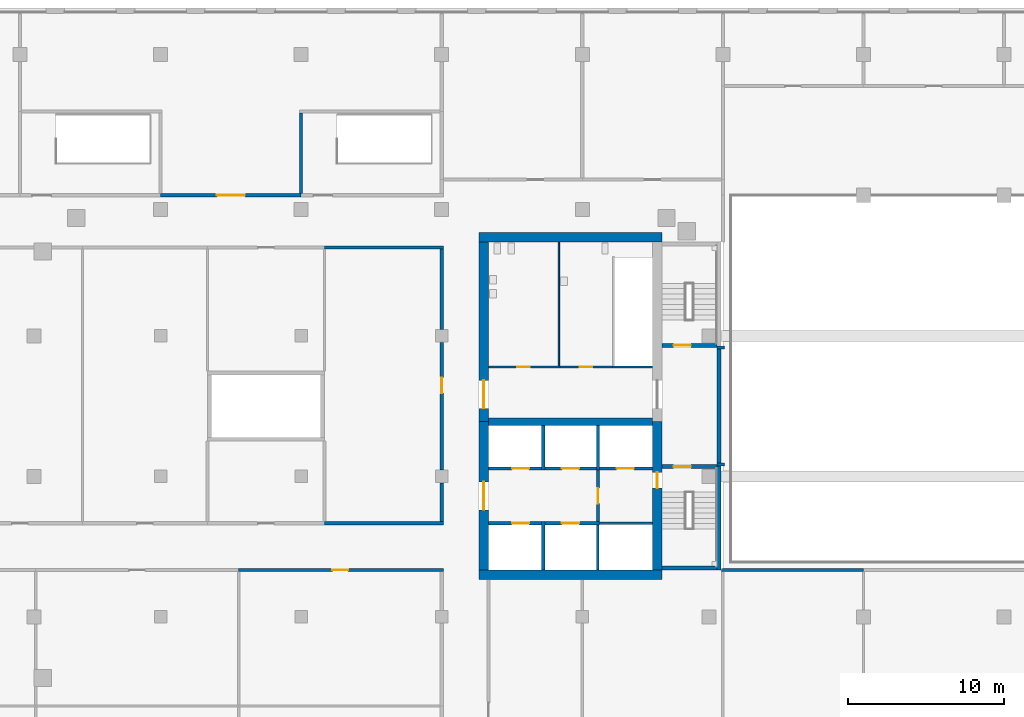
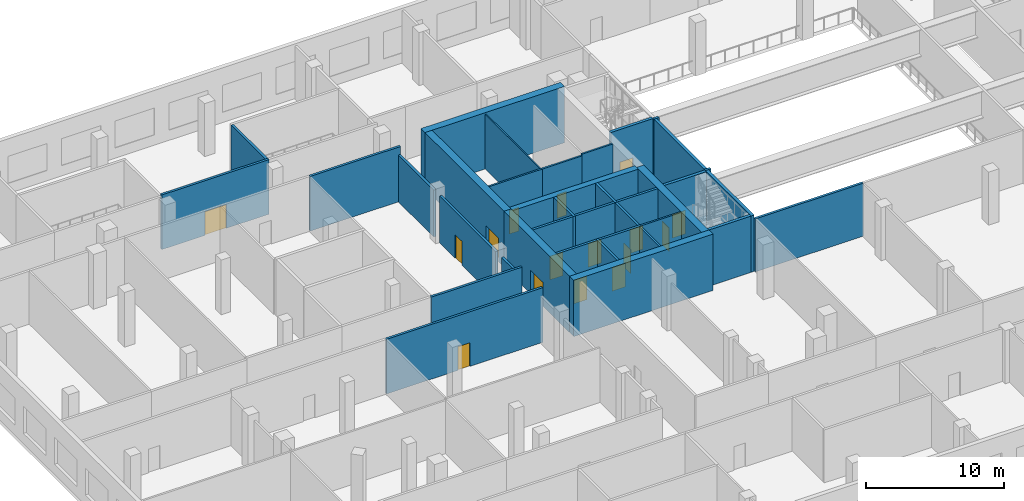
# One storey, part 6 of 20: 37 walls, 16 doors, 16 openings.
"""IFC4 building model written with IfcOpenShell, lengths in metres."""

from ifc_helpers import new_model, si_unit, direction, frame, frame_2d, origin, place, context, subcontext, project, spatial, rectangle, extrude, material, layer, layer_set, type_object, element, fill, save


model = new_model("IFC4")

# Units and contexts
model_context = context("Model", 3, precision=1e-05, world=origin(), true_north=direction((0.0, 1.0)))
body_context = subcontext(model_context, "Body", "Model", "MODEL_VIEW")
ifc_project = project(units=[si_unit("LENGTHUNIT", "METRE"), si_unit("AREAUNIT", "SQUARE_METRE"), si_unit("VOLUMEUNIT", "CUBIC_METRE"), si_unit("PLANEANGLEUNIT", "RADIAN"), si_unit("MASSUNIT", "GRAM", prefix="KILO")], contexts=[model_context])

# Site, building, storey
site_placement = place(None, origin())
site = spatial("IfcSite", under=ifc_project, at=site_placement, CompositionType="ELEMENT")
building_placement = place(site_placement, origin())
building = spatial("IfcBuilding", under=site, at=building_placement, Name="Cinnabar Reach Civic Tower", CompositionType="ELEMENT")
storey_placement = place(building_placement, frame((0.0, 0.0, 21.0)))
storey = spatial("IfcBuildingStorey", under=building, at=storey_placement, Name="L04", CompositionType="ELEMENT", Elevation=21.0)

# Walls
ifc_material_1 = material(Name="Concrete C60", Category="concrete")
ifc_layer_1 = layer(ifc_material_1, 0.5)
ifc_layer_set_1 = layer_set([ifc_layer_1], Name="Core wall 500 EI 180")
wall_type_1 = type_object("IfcWallType", Name="Core wall 500 EI 180", PredefinedType="SOLIDWALL", material=ifc_layer_set_1)
wall_1_placement = place(storey_placement, frame((-42.0, 30.5, 0.0), z_axis=(0.0, 0.0, 1.0), x_axis=(1.0, 0.0, 0.0)))
element("IfcWall", 1, at=wall_1_placement, inside=storey, type_object=wall_type_1, Name="Core spine wall T2 L04", PredefinedType="SOLIDWALL", context=body_context, shape_type="SweptSolid", body=[
    extrude(rectangle(XDim=10.5, YDim=0.5, at=frame_2d((5.25, 0.0))), origin(), (0.0, 0.0, 1.0), 5.0),
])
ifc_material_2 = material(Name="Concrete C70", Category="concrete")
ifc_layer_2 = layer(ifc_material_2, 0.6)
ifc_layer_set_2 = layer_set([ifc_layer_2], Name="Core wall 600 EI 180")
wall_type_2 = type_object("IfcWallType", Name="Core wall 600 EI 180", PredefinedType="SOLIDWALL", material=ifc_layer_set_2)
for number, where, z_axis, x_axis, name in (
    (2, (-42.6, 20.7, 0.0), (0.0, 0.0, 1.0), (1.0, 0.0, 0.0), "Core wall T2 L04 S"),
    (3, (-30.9, 42.3, 0.0), (0.0, 0.0, 1.0), (-1.0, 0.0, 0.0), "Core wall T2 L04 N"),
):
    element("IfcWall", number, at=place(storey_placement, frame(where, z_axis=z_axis, x_axis=x_axis)), inside=storey, type_object=wall_type_2, Name=name, PredefinedType="SOLIDWALL", context=body_context, shape_type="SweptSolid", body=[
        extrude(rectangle(XDim=11.7, YDim=0.6, at=frame_2d((5.85, 0.0))), origin(), (0.0, 0.0, 1.0), 5.0),
    ])

# Wall, opening, door
wall_2_placement = place(storey_placement, frame((-31.2, 21.0, 0.0), z_axis=(0.0, 0.0, 1.0), x_axis=(0.0, 1.0, 0.0)))
wall_2 = element("IfcWall", 4, at=wall_2_placement, inside=storey, type_object=wall_type_2, Name="Core wall T2 L04 E", PredefinedType="SOLIDWALL", context=body_context, shape_type="SweptSolid", body=[
    extrude(rectangle(XDim=9.5, YDim=0.6, at=frame_2d((4.75, 0.0))), origin(), (0.0, 0.0, 1.0), 5.0),
])
opening_1_placement = place(wall_2_placement, frame((5.25, 0.0, 0.0)))
opening_1 = element("IfcOpeningElement", 5, at=opening_1_placement, cuts=wall_2, Name="Opening D6083", PredefinedType="OPENING", context=body_context, shape_type="SweptSolid", body=[
    extrude(rectangle(XDim=1.0, YDim=2.1, at=frame_2d((0.5, 1.05))), frame((0.0, 0.31, 0.0), z_axis=(0.0, -1.0, 0.0), x_axis=(1.0, 0.0, 0.0)), (0.0, 0.0, 1.0), 0.62),
])
ifc_material_3 = material(Name="Steel fire door", Category="steel")
door_type_1 = type_object("IfcDoorType", Name="T2 Firefighting lobby door 1000", OperationType="SINGLE_SWING_LEFT", PredefinedType="DOOR", material=ifc_material_3)
door_1_placement = place(opening_1_placement, frame((1.0, 0.0, 0.0), z_axis=(0.0, 0.0, 1.0), x_axis=(-1.0, 0.0, 0.0)))
door_1 = element("IfcDoor", 6, at=door_1_placement, inside=storey, type_object=door_type_1, Name="T2 Firefighting lobby door D6083", OperationType="SINGLE_SWING_LEFT", OverallHeight=2.1, OverallWidth=1.0, PredefinedType="DOOR", context=body_context, shape_type="SweptSolid", body=[
    extrude(rectangle(XDim=1.0, YDim=2.1, at=frame_2d((0.5, 1.05))), frame((0.0, 0.025, 0.0), z_axis=(0.0, -1.0, 0.0), x_axis=(1.0, 0.0, 0.0)), (0.0, 0.0, 1.0), 0.05),
])
fill(opening_1, door_1)

wall_3_placement = place(storey_placement, frame((-42.3, 42.0, 0.0), z_axis=(0.0, 0.0, 1.0), x_axis=(0.0, -1.0, 0.0)))
wall_3 = element("IfcWall", 7, at=wall_3_placement, inside=storey, type_object=wall_type_2, Name="Core wall T2 L04 W", PredefinedType="SOLIDWALL", context=body_context, shape_type="SweptSolid", body=[
    extrude(rectangle(XDim=11.5, YDim=0.6, at=frame_2d((5.75, 0.0))), origin(), (0.0, 0.0, 1.0), 5.0),
])
opening_2_placement = place(wall_3_placement, frame((8.85, 0.0, 0.0)))
opening_2 = element("IfcOpeningElement", 8, at=opening_2_placement, cuts=wall_3, Name="Opening D6088", PredefinedType="OPENING", context=body_context, shape_type="SweptSolid", body=[
    extrude(rectangle(XDim=1.8, YDim=2.1, at=frame_2d((0.9, 1.05))), frame((0.0, 0.31, 0.0), z_axis=(0.0, -1.0, 0.0), x_axis=(1.0, 0.0, 0.0)), (0.0, 0.0, 1.0), 0.62),
])
door_type_2 = type_object("IfcDoorType", Name="T2 Double door 1800", OperationType="DOUBLE_DOOR_SINGLE_SWING", PredefinedType="DOOR", material=ifc_material_3)
door_2_placement = place(opening_2_placement, frame((1.8, 0.0, 0.0), z_axis=(0.0, 0.0, 1.0), x_axis=(-1.0, 0.0, 0.0)))
door_2 = element("IfcDoor", 9, at=door_2_placement, inside=storey, type_object=door_type_2, Name="T2 Double door D6088", OperationType="DOUBLE_DOOR_SINGLE_SWING", OverallHeight=2.1, OverallWidth=1.8, PredefinedType="DOOR", context=body_context, shape_type="SweptSolid", body=[
    extrude(rectangle(XDim=1.8, YDim=2.1, at=frame_2d((0.9, 1.05))), frame((0.0, 0.025, 0.0), z_axis=(0.0, -1.0, 0.0), x_axis=(1.0, 0.0, 0.0)), (0.0, 0.0, 1.0), 0.05),
])
fill(opening_2, door_2)

wall_4_placement = place(storey_placement, frame((-42.3, 30.5, 0.0), z_axis=(0.0, 0.0, 1.0), x_axis=(0.0, -1.0, 0.0)))
wall_4 = element("IfcWall", 10, at=wall_4_placement, inside=storey, type_object=wall_type_2, Name="Core wall T2 L04 W2", PredefinedType="SOLIDWALL", context=body_context, shape_type="SweptSolid", body=[
    extrude(rectangle(XDim=9.5, YDim=0.6, at=frame_2d((4.75, 0.0))), origin(), (0.0, 0.0, 1.0), 5.0),
])
opening_3_placement = place(wall_4_placement, frame((3.85, 0.0, 0.0)))
opening_3 = element("IfcOpeningElement", 11, at=opening_3_placement, cuts=wall_4, Name="Opening D6087", PredefinedType="OPENING", context=body_context, shape_type="SweptSolid", body=[
    extrude(rectangle(XDim=1.8, YDim=2.1, at=frame_2d((0.9, 1.05))), frame((0.0, 0.31, 0.0), z_axis=(0.0, -1.0, 0.0), x_axis=(1.0, 0.0, 0.0)), (0.0, 0.0, 1.0), 0.62),
])
door_3_placement = place(opening_3_placement, origin())
door_3 = element("IfcDoor", 12, at=door_3_placement, inside=storey, type_object=door_type_2, Name="T2 Double door D6087", OperationType="DOUBLE_DOOR_SINGLE_SWING", OverallHeight=2.1, OverallWidth=1.8, PredefinedType="DOOR", context=body_context, shape_type="SweptSolid", body=[
    extrude(rectangle(XDim=1.8, YDim=2.1, at=frame_2d((0.9, 1.05))), frame((0.0, 0.025, 0.0), z_axis=(0.0, -1.0, 0.0), x_axis=(1.0, 0.0, 0.0)), (0.0, 0.0, 1.0), 0.05),
])
fill(opening_3, door_3)

# Wall
ifc_material_4 = material(Name="Concrete blockwork", Category="masonry")
ifc_layer_3 = layer(ifc_material_4, 0.2)
ifc_layer_set_3 = layer_set([ifc_layer_3], Name="Podium masonry corridor wall 200 EI 120")
wall_type_3 = type_object("IfcWallType", Name="Podium masonry corridor wall 200 EI 120", PredefinedType="PARTITIONING", material=ifc_layer_set_3)
wall_5_placement = place(storey_placement, frame((-45.0, 24.1, 0.0), z_axis=(0.0, 0.0, 1.0), x_axis=(0.0, 1.0, 0.0)))
element("IfcWall", 13, at=wall_5_placement, inside=storey, type_object=wall_type_3, Name="Wall L04 64", PredefinedType="PARTITIONING", context=body_context, shape_type="SweptSolid", body=[
    extrude(rectangle(XDim=2.48, YDim=0.2, at=frame_2d((1.24, 0.0))), origin(), (0.0, 0.0, 1.0), 4.158),
])

# Wall, opening, door
wall_6_placement = place(storey_placement, frame((-45.0, 27.42, 0.0), z_axis=(0.0, 0.0, 1.0), x_axis=(0.0, 1.0, 0.0)))
wall_6 = element("IfcWall", 14, at=wall_6_placement, inside=storey, type_object=wall_type_3, Name="Wall L04 65", PredefinedType="PARTITIONING", context=body_context, shape_type="SweptSolid", body=[
    extrude(rectangle(XDim=8.16, YDim=0.2, at=frame_2d((4.08, 0.0))), origin(), (0.0, 0.0, 1.0), 4.158),
])
opening_4_placement = place(wall_6_placement, frame((4.905, 0.0, 0.0)))
opening_4 = element("IfcOpeningElement", 15, at=opening_4_placement, cuts=wall_6, Name="Opening D1246", PredefinedType="OPENING", context=body_context, shape_type="SweptSolid", body=[
    extrude(rectangle(XDim=1.0, YDim=2.1, at=frame_2d((0.5, 1.05))), frame((0.0, 0.11, 0.0), z_axis=(0.0, -1.0, 0.0), x_axis=(1.0, 0.0, 0.0)), (0.0, 0.0, 1.0), 0.22),
])
ifc_material_5 = material(Name="Painted steel door leaf", Category="steel")
door_type_3 = type_object("IfcDoorType", Name="Podium single door 1000x2100", OperationType="SINGLE_SWING_LEFT", PredefinedType="DOOR", material=ifc_material_5)
door_4_placement = place(opening_4_placement, origin())
door_4 = element("IfcDoor", 16, at=door_4_placement, inside=storey, type_object=door_type_3, Name="Door D1246", OperationType="SINGLE_SWING_LEFT", OverallHeight=2.1, OverallWidth=1.0, PredefinedType="DOOR", context=body_context, shape_type="SweptSolid", body=[
    extrude(rectangle(XDim=1.0, YDim=2.1, at=frame_2d((0.5, 1.05))), frame((0.0, 0.025, 0.0), z_axis=(0.0, -1.0, 0.0), x_axis=(1.0, 0.0, 0.0)), (0.0, 0.0, 1.0), 0.05),
])
fill(opening_4, door_4)

# Walls
wall_7_placement = place(storey_placement, frame((-45.0, 36.42, 0.0), z_axis=(0.0, 0.0, 1.0), x_axis=(0.0, 1.0, 0.0)))
element("IfcWall", 17, at=wall_7_placement, inside=storey, type_object=wall_type_3, Name="Wall L04 66", PredefinedType="PARTITIONING", context=body_context, shape_type="SweptSolid", body=[
    extrude(rectangle(XDim=5.13, YDim=0.2, at=frame_2d((2.565, 0.0))), origin(), (0.0, 0.0, 1.0), 4.158),
])
wall_8_placement = place(storey_placement, frame((-52.5, 24.0, 0.0), z_axis=(0.0, 0.0, 1.0), x_axis=(1.0, 0.0, 0.0)))
element("IfcWall", 18, at=wall_8_placement, inside=storey, type_object=wall_type_3, Name="Wall L04 73", PredefinedType="PARTITIONING", context=body_context, shape_type="SweptSolid", body=[
    extrude(rectangle(XDim=7.6, YDim=0.2, at=frame_2d((3.8, 0.0))), origin(), (0.0, 0.0, 1.0), 4.85),
])

# Wall, opening, door
wall_9_placement = place(storey_placement, frame((-58.0, 21.0, 0.0), z_axis=(0.0, 0.0, 1.0), x_axis=(1.0, 0.0, 0.0)))
wall_9 = element("IfcWall", 19, at=wall_9_placement, inside=storey, type_object=wall_type_3, Name="Wall L04 76", PredefinedType="PARTITIONING", context=body_context, shape_type="SweptSolid", body=[
    extrude(rectangle(XDim=13.1, YDim=0.2, at=frame_2d((6.55, 0.0))), origin(), (0.0, 0.0, 1.0), 4.85),
])
opening_5_placement = place(wall_9_placement, frame((6.0, 0.0, 0.0)))
opening_5 = element("IfcOpeningElement", 20, at=opening_5_placement, cuts=wall_9, Name="Opening D1261", PredefinedType="OPENING", context=body_context, shape_type="SweptSolid", body=[
    extrude(rectangle(XDim=1.0, YDim=2.1, at=frame_2d((0.5, 1.05))), frame((0.0, 0.11, 0.0), z_axis=(0.0, -1.0, 0.0), x_axis=(1.0, 0.0, 0.0)), (0.0, 0.0, 1.0), 0.22),
])
door_5_placement = place(opening_5_placement, frame((1.0, 0.0, 0.0), z_axis=(0.0, 0.0, 1.0), x_axis=(-1.0, 0.0, 0.0)))
door_5 = element("IfcDoor", 21, at=door_5_placement, inside=storey, type_object=door_type_3, Name="Door D1261", OperationType="SINGLE_SWING_LEFT", OverallHeight=2.1, OverallWidth=1.0, PredefinedType="DOOR", context=body_context, shape_type="SweptSolid", body=[
    extrude(rectangle(XDim=1.0, YDim=2.1, at=frame_2d((0.5, 1.05))), frame((0.0, 0.025, 0.0), z_axis=(0.0, -1.0, 0.0), x_axis=(1.0, 0.0, 0.0)), (0.0, 0.0, 1.0), 0.05),
])
fill(opening_5, door_5)

# Wall
wall_10_placement = place(storey_placement, frame((-52.5, 41.65, 0.0), z_axis=(0.0, 0.0, 1.0), x_axis=(1.0, 0.0, 0.0)))
element("IfcWall", 22, at=wall_10_placement, inside=storey, type_object=wall_type_3, Name="Wall L04 81", PredefinedType="PARTITIONING", context=body_context, shape_type="SweptSolid", body=[
    extrude(rectangle(XDim=7.6, YDim=0.2, at=frame_2d((3.8, 0.0))), origin(), (0.0, 0.0, 1.0), 4.85),
])

# Wall, opening, door
wall_11_placement = place(storey_placement, frame((-63.0, 45.0, 0.0), z_axis=(0.0, 0.0, 1.0), x_axis=(1.0, 0.0, 0.0)))
wall_11 = element("IfcWall", 23, at=wall_11_placement, inside=storey, type_object=wall_type_3, Name="Wall L04 84", PredefinedType="PARTITIONING", context=body_context, shape_type="SweptSolid", body=[
    extrude(rectangle(XDim=9.0, YDim=0.2, at=frame_2d((4.5, 0.0))), origin(), (0.0, 0.0, 1.0), 4.85),
])
opening_6_placement = place(wall_11_placement, frame((3.6, 0.0, 0.0)))
opening_6 = element("IfcOpeningElement", 24, at=opening_6_placement, cuts=wall_11, Name="Opening D1251", PredefinedType="OPENING", context=body_context, shape_type="SweptSolid", body=[
    extrude(rectangle(XDim=1.8, YDim=2.1, at=frame_2d((0.9, 1.05))), frame((0.0, 0.11, 0.0), z_axis=(0.0, -1.0, 0.0), x_axis=(1.0, 0.0, 0.0)), (0.0, 0.0, 1.0), 0.22),
])
door_type_4 = type_object("IfcDoorType", Name="Podium double door 1800x2100", OperationType="DOUBLE_DOOR_SINGLE_SWING", PredefinedType="DOOR", material=ifc_material_5)
door_6_placement = place(opening_6_placement, origin())
door_6 = element("IfcDoor", 25, at=door_6_placement, inside=storey, type_object=door_type_4, Name="Door D1251", OperationType="DOUBLE_DOOR_SINGLE_SWING", OverallHeight=2.1, OverallWidth=1.8, PredefinedType="DOOR", context=body_context, shape_type="SweptSolid", body=[
    extrude(rectangle(XDim=1.8, YDim=2.1, at=frame_2d((0.9, 1.05))), frame((0.0, 0.025, 0.0), z_axis=(0.0, -1.0, 0.0), x_axis=(1.0, 0.0, 0.0)), (0.0, 0.0, 1.0), 0.05),
])
fill(opening_6, door_6)

# Walls
wall_12_placement = place(storey_placement, frame((-27.075, 21.0, 0.0), z_axis=(0.0, 0.0, 1.0), x_axis=(1.0, 0.0, 0.0)))
element("IfcWall", 26, at=wall_12_placement, inside=storey, type_object=wall_type_3, Name="Wall L04 126", PredefinedType="PARTITIONING", context=body_context, shape_type="SweptSolid", body=[
    extrude(rectangle(XDim=9.075, YDim=0.2, at=frame_2d((4.5375, 0.0))), origin(), (0.0, 0.0, 1.0), 4.7),
])
ifc_material_6 = material(Name="Concrete C40", Category="concrete")
ifc_layer_4 = layer(ifc_material_6, 0.2)
ifc_layer_set_4 = layer_set([ifc_layer_4], Name="Podium stair shaft wall 200 EI 120")
wall_type_4 = type_object("IfcWallType", Name="Podium stair shaft wall 200 EI 120", PredefinedType="SOLIDWALL", material=ifc_layer_set_4)
wall_13_placement = place(storey_placement, frame((-54.0, 45.1, 0.0), z_axis=(0.0, 0.0, 1.0), x_axis=(0.0, 1.0, 0.0)))
element("IfcWall", 27, at=wall_13_placement, inside=storey, type_object=wall_type_4, Name="Wall L04 31", PredefinedType="SOLIDWALL", context=body_context, shape_type="SweptSolid", body=[
    extrude(rectangle(XDim=5.15, YDim=0.2, at=frame_2d((2.575, 0.0))), origin(), (0.0, 0.0, 1.0), 4.7),
])
ifc_layer_5 = layer(ifc_material_1, 0.25)
ifc_layer_set_5 = layer_set([ifc_layer_5], Name="Stair shaft wall 250 EI 120")
wall_type_5 = type_object("IfcWallType", Name="Stair shaft wall 250 EI 120", PredefinedType="SOLIDWALL", material=ifc_layer_set_5)
wall_14_placement = place(storey_placement, frame((-30.9, 21.125, 0.0), z_axis=(0.0, 0.0, 1.0), x_axis=(1.0, 0.0, 0.0)))
element("IfcWall", 28, at=wall_14_placement, inside=storey, type_object=wall_type_5, Name="Stair shaft wall T2-S1 L04", PredefinedType="SOLIDWALL", context=body_context, shape_type="SweptSolid", body=[
    extrude(rectangle(XDim=3.54, YDim=0.25, at=frame_2d((1.77, 0.0))), origin(), (0.0, 0.0, 1.0), 5.0),
])

# Wall, opening, door
wall_15_placement = place(storey_placement, frame((-27.36, 27.625, 0.0), z_axis=(0.0, 0.0, 1.0), x_axis=(-1.0, 0.0, 0.0)))
wall_15 = element("IfcWall", 29, at=wall_15_placement, inside=storey, type_object=wall_type_5, Name="Stair shaft wall T2-S1 L04", PredefinedType="SOLIDWALL", context=body_context, shape_type="SweptSolid", body=[
    extrude(rectangle(XDim=3.54, YDim=0.25, at=frame_2d((1.77, 0.0))), origin(), (0.0, 0.0, 1.0), 5.0),
])
opening_7_placement = place(wall_15_placement, frame((1.69, 0.0, 0.0)))
opening_7 = element("IfcOpeningElement", 30, at=opening_7_placement, cuts=wall_15, Name="Opening D6084", PredefinedType="OPENING", context=body_context, shape_type="SweptSolid", body=[
    extrude(rectangle(XDim=1.1, YDim=2.1, at=frame_2d((0.55, 1.05))), frame((0.0, 0.135, 0.0), z_axis=(0.0, -1.0, 0.0), x_axis=(1.0, 0.0, 0.0)), (0.0, 0.0, 1.0), 0.27),
])
door_type_5 = type_object("IfcDoorType", Name="T2 Stair door 1100", OperationType="SINGLE_SWING_LEFT", PredefinedType="DOOR", material=ifc_material_3)
door_7_placement = place(opening_7_placement, origin())
door_7 = element("IfcDoor", 31, at=door_7_placement, inside=storey, type_object=door_type_5, Name="T2 Stair door D6084", OperationType="SINGLE_SWING_RIGHT", OverallHeight=2.1, OverallWidth=1.1, PredefinedType="DOOR", context=body_context, shape_type="SweptSolid", body=[
    extrude(rectangle(XDim=1.1, YDim=2.1, at=frame_2d((0.55, 1.05))), frame((0.0, 0.025, 0.0), z_axis=(0.0, -1.0, 0.0), x_axis=(1.0, 0.0, 0.0)), (0.0, 0.0, 1.0), 0.05),
])
fill(opening_7, door_7)

wall_16_placement = place(storey_placement, frame((-30.9, 35.375, 0.0), z_axis=(0.0, 0.0, 1.0), x_axis=(1.0, 0.0, 0.0)))
wall_16 = element("IfcWall", 32, at=wall_16_placement, inside=storey, type_object=wall_type_5, Name="Stair shaft wall T2-S2 L04", PredefinedType="SOLIDWALL", context=body_context, shape_type="SweptSolid", body=[
    extrude(rectangle(XDim=3.54, YDim=0.25, at=frame_2d((1.77, 0.0))), origin(), (0.0, 0.0, 1.0), 5.0),
])
opening_8_placement = place(wall_16_placement, frame((0.75, 0.0, 0.0)))
opening_8 = element("IfcOpeningElement", 33, at=opening_8_placement, cuts=wall_16, Name="Opening D6085", PredefinedType="OPENING", context=body_context, shape_type="SweptSolid", body=[
    extrude(rectangle(XDim=1.1, YDim=2.1, at=frame_2d((0.55, 1.05))), frame((0.0, 0.135, 0.0), z_axis=(0.0, -1.0, 0.0), x_axis=(1.0, 0.0, 0.0)), (0.0, 0.0, 1.0), 0.27),
])
door_8_placement = place(opening_8_placement, origin())
door_8 = element("IfcDoor", 34, at=door_8_placement, inside=storey, type_object=door_type_5, Name="T2 Stair door D6085", OperationType="SINGLE_SWING_RIGHT", OverallHeight=2.1, OverallWidth=1.1, PredefinedType="DOOR", context=body_context, shape_type="SweptSolid", body=[
    extrude(rectangle(XDim=1.1, YDim=2.1, at=frame_2d((0.55, 1.05))), frame((0.0, 0.025, 0.0), z_axis=(0.0, -1.0, 0.0), x_axis=(1.0, 0.0, 0.0)), (0.0, 0.0, 1.0), 0.05),
])
fill(opening_8, door_8)

# Walls
wall_17_placement = place(storey_placement, frame((-27.235, 21.0, 0.0), z_axis=(0.0, 0.0, 1.0), x_axis=(0.0, 1.0, 0.0)))
element("IfcWall", 35, at=wall_17_placement, inside=storey, type_object=wall_type_5, Name="Stair shaft wall T2-STRIP L04", PredefinedType="SOLIDWALL", context=body_context, shape_type="SweptSolid", body=[
    extrude(rectangle(XDim=6.65, YDim=0.25, at=frame_2d((3.325, 0.0))), origin(), (0.0, 0.0, 1.0), 5.0),
])
wall_18_placement = place(storey_placement, frame((-27.235, 27.85, 0.0), z_axis=(0.0, 0.0, 1.0), x_axis=(0.0, 1.0, 0.0)))
element("IfcWall", 36, at=wall_18_placement, inside=storey, type_object=wall_type_5, Name="Stair shaft wall T2-STRIP L04", PredefinedType="SOLIDWALL", context=body_context, shape_type="SweptSolid", body=[
    extrude(rectangle(XDim=7.3, YDim=0.25, at=frame_2d((3.65, 0.0))), origin(), (0.0, 0.0, 1.0), 5.0),
])

# Wall, opening, door
ifc_material_7 = material(Name="Masonry block partition", Category="masonry")
ifc_layer_6 = layer(ifc_material_7, 0.15)
ifc_layer_set_6 = layer_set([ifc_layer_6], Name="T2 Corridor wall 150")
wall_type_6 = type_object("IfcWallType", Name="T2 Corridor wall 150", PredefinedType="PARTITIONING", material=ifc_layer_set_6)
wall_19_placement = place(storey_placement, frame((-37.425, 34.0, 0.0), z_axis=(0.0, 0.0, 1.0), x_axis=(-1.0, 0.0, 0.0)))
wall_19 = element("IfcWall", 37, at=wall_19_placement, inside=storey, type_object=wall_type_6, Name="T2 Corridor wall L04 016", PredefinedType="PARTITIONING", context=body_context, shape_type="SweptSolid", body=[
    extrude(rectangle(XDim=4.575, YDim=0.15, at=frame_2d((2.2875, 0.0))), origin(), (0.0, 0.0, 1.0), 4.85),
])
opening_9_placement = place(wall_19_placement, frame((1.925, 0.0, 0.0)))
opening_9 = element("IfcOpeningElement", 38, at=opening_9_placement, cuts=wall_19, Name="Opening D6089", PredefinedType="OPENING", context=body_context, shape_type="SweptSolid", body=[
    extrude(rectangle(XDim=0.8, YDim=2.1, at=frame_2d((0.4, 1.05))), frame((0.0, 0.085, 0.0), z_axis=(0.0, -1.0, 0.0), x_axis=(1.0, 0.0, 0.0)), (0.0, 0.0, 1.0), 0.17),
])
ifc_material_8 = material(Name="Timber door leaf", Category="wood")
door_type_6 = type_object("IfcDoorType", Name="T2 Bathroom door 800", OperationType="SINGLE_SWING_LEFT", PredefinedType="DOOR", material=ifc_material_8)
door_9_placement = place(opening_9_placement, frame((0.8, 0.0, 0.0), z_axis=(0.0, 0.0, 1.0), x_axis=(-1.0, 0.0, 0.0)))
door_9 = element("IfcDoor", 39, at=door_9_placement, inside=storey, type_object=door_type_6, Name="T2 Bathroom door D6089", OperationType="SINGLE_SWING_RIGHT", OverallHeight=2.1, OverallWidth=0.8, PredefinedType="DOOR", context=body_context, shape_type="SweptSolid", body=[
    extrude(rectangle(XDim=0.8, YDim=2.1, at=frame_2d((0.4, 1.05))), frame((0.0, 0.025, 0.0), z_axis=(0.0, -1.0, 0.0), x_axis=(1.0, 0.0, 0.0)), (0.0, 0.0, 1.0), 0.05),
])
fill(opening_9, door_9)

wall_20_placement = place(storey_placement, frame((-34.075, 34.0, 0.0), z_axis=(0.0, 0.0, 1.0), x_axis=(-1.0, 0.0, 0.0)))
wall_20 = element("IfcWall", 40, at=wall_20_placement, inside=storey, type_object=wall_type_6, Name="T2 Corridor wall L04 017", PredefinedType="PARTITIONING", context=body_context, shape_type="SweptSolid", body=[
    extrude(rectangle(XDim=3.35, YDim=0.15, at=frame_2d((1.675, 0.0))), origin(), (0.0, 0.0, 1.0), 4.85),
])
opening_10_placement = place(wall_20_placement, frame((1.275, 0.0, 0.0)))
opening_10 = element("IfcOpeningElement", 41, at=opening_10_placement, cuts=wall_20, Name="Opening D6090", PredefinedType="OPENING", context=body_context, shape_type="SweptSolid", body=[
    extrude(rectangle(XDim=0.8, YDim=2.1, at=frame_2d((0.4, 1.05))), frame((0.0, 0.085, 0.0), z_axis=(0.0, -1.0, 0.0), x_axis=(1.0, 0.0, 0.0)), (0.0, 0.0, 1.0), 0.17),
])
door_10_placement = place(opening_10_placement, frame((0.8, 0.0, 0.0), z_axis=(0.0, 0.0, 1.0), x_axis=(-1.0, 0.0, 0.0)))
door_10 = element("IfcDoor", 42, at=door_10_placement, inside=storey, type_object=door_type_6, Name="T2 Bathroom door D6090", OperationType="SINGLE_SWING_RIGHT", OverallHeight=2.1, OverallWidth=0.8, PredefinedType="DOOR", context=body_context, shape_type="SweptSolid", body=[
    extrude(rectangle(XDim=0.8, YDim=2.1, at=frame_2d((0.4, 1.05))), frame((0.0, 0.025, 0.0), z_axis=(0.0, -1.0, 0.0), x_axis=(1.0, 0.0, 0.0)), (0.0, 0.0, 1.0), 0.05),
])
fill(opening_10, door_10)

# Walls
ifc_material_9 = material(Name="Gypsum board partition")
ifc_layer_7 = layer(ifc_material_9, 0.1)
ifc_layer_set_7 = layer_set([ifc_layer_7], Name="T2 Internal partition 100")
wall_type_7 = type_object("IfcWallType", Name="T2 Internal partition 100", PredefinedType="PARTITIONING", material=ifc_layer_set_7)
wall_21_placement = place(storey_placement, frame((-37.5, 34.075, 0.0), z_axis=(0.0, 0.0, 1.0), x_axis=(0.0, 1.0, 0.0)))
element("IfcWall", 43, at=wall_21_placement, inside=storey, type_object=wall_type_7, Name="T2 Internal partition L04 018", PredefinedType="PARTITIONING", context=body_context, shape_type="SweptSolid", body=[
    extrude(rectangle(XDim=7.925, YDim=0.1, at=frame_2d((3.9625, 0.0))), origin(), (0.0, 0.0, 1.0), 4.85),
])
ifc_layer_8 = layer(ifc_material_6, 0.15)
ifc_layer_set_8 = layer_set([ifc_layer_8], Name="T2 Riser wall 150")
wall_type_8 = type_object("IfcWallType", Name="T2 Riser wall 150", PredefinedType="SOLIDWALL", material=ifc_layer_set_8)
wall_22_placement = place(storey_placement, frame((-35.0, 21.0, 0.0), z_axis=(0.0, 0.0, 1.0), x_axis=(0.0, 1.0, 0.0)))
element("IfcWall", 44, at=wall_22_placement, inside=storey, type_object=wall_type_8, Name="T2 Riser wall L04 012", PredefinedType="SOLIDWALL", context=body_context, shape_type="SweptSolid", body=[
    extrude(rectangle(XDim=2.9, YDim=0.15, at=frame_2d((1.45, 0.0))), origin(), (0.0, 0.0, 1.0), 5.0),
])
wall_23_placement = place(storey_placement, frame((-31.5, 24.0, 0.0), z_axis=(0.0, 0.0, 1.0), x_axis=(-1.0, 0.0, 0.0)))
element("IfcWall", 45, at=wall_23_placement, inside=storey, type_object=wall_type_8, Name="T2 Riser wall L04 013", PredefinedType="SOLIDWALL", context=body_context, shape_type="SweptSolid", body=[
    extrude(rectangle(XDim=3.4, YDim=0.15, at=frame_2d((1.7, 0.0))), origin(), (0.0, 0.0, 1.0), 5.0),
])
wall_24_placement = place(storey_placement, frame((-34.075, 34.0, 0.0), z_axis=(0.0, 0.0, 1.0), x_axis=(1.0, 0.0, 0.0)))
element("IfcWall", 46, at=wall_24_placement, inside=storey, type_object=wall_type_8, Name="T2 Riser wall L04 014", PredefinedType="SOLIDWALL", context=body_context, shape_type="SweptSolid", body=[
    extrude(rectangle(XDim=2.575, YDim=0.15, at=frame_2d((1.2875, 0.0))), origin(), (0.0, 0.0, 1.0), 5.0),
])
ifc_layer_9 = layer(ifc_material_6, 0.2)
ifc_layer_set_9 = layer_set([ifc_layer_9], Name="T2 Shaft wall 200")
wall_type_9 = type_object("IfcWallType", Name="T2 Shaft wall 200", PredefinedType="SOLIDWALL", material=ifc_layer_set_9)
wall_25_placement = place(storey_placement, frame((-38.5, 21.0, 0.0), z_axis=(0.0, 0.0, 1.0), x_axis=(0.0, 1.0, 0.0)))
element("IfcWall", 47, at=wall_25_placement, inside=storey, type_object=wall_type_9, Name="T2 Shaft wall L04 001", PredefinedType="SOLIDWALL", context=body_context, shape_type="SweptSolid", body=[
    extrude(rectangle(XDim=3.1, YDim=0.2, at=frame_2d((1.55, 0.0))), origin(), (0.0, 0.0, 1.0), 5.0),
])

# Wall, opening, door
wall_26_placement = place(storey_placement, frame((-38.6, 24.0, 0.0), z_axis=(0.0, 0.0, 1.0), x_axis=(-1.0, 0.0, 0.0)))
wall_26 = element("IfcWall", 48, at=wall_26_placement, inside=storey, type_object=wall_type_9, Name="T2 Shaft wall L04 002", PredefinedType="SOLIDWALL", context=body_context, shape_type="SweptSolid", body=[
    extrude(rectangle(XDim=3.4, YDim=0.2, at=frame_2d((1.7, 0.0))), origin(), (0.0, 0.0, 1.0), 5.0),
])
opening_11_placement = place(wall_26_placement, frame((0.8, 0.0, 0.0)))
opening_11 = element("IfcOpeningElement", 49, at=opening_11_placement, cuts=wall_26, Name="Opening D6077", PredefinedType="OPENING", context=body_context, shape_type="SweptSolid", body=[
    extrude(rectangle(XDim=1.1, YDim=2.1, at=frame_2d((0.55, 1.05))), frame((0.0, 0.11, 0.0), z_axis=(0.0, -1.0, 0.0), x_axis=(1.0, 0.0, 0.0)), (0.0, 0.0, 1.0), 0.22),
])
door_type_7 = type_object("IfcDoorType", Name="T2 Lift landing door 1100", OperationType="SLIDING_TO_LEFT", PredefinedType="DOOR", material=ifc_material_3)
door_11_placement = place(opening_11_placement, origin())
door_11 = element("IfcDoor", 50, at=door_11_placement, inside=storey, type_object=door_type_7, Name="T2 Lift landing door D6077", OperationType="SLIDING_TO_LEFT", OverallHeight=2.1, OverallWidth=1.1, PredefinedType="DOOR", context=body_context, shape_type="SweptSolid", body=[
    extrude(rectangle(XDim=1.1, YDim=2.1, at=frame_2d((0.55, 1.05))), frame((0.0, 0.025, 0.0), z_axis=(0.0, -1.0, 0.0), x_axis=(1.0, 0.0, 0.0)), (0.0, 0.0, 1.0), 0.05),
])
fill(opening_11, door_11)

wall_27_placement = place(storey_placement, frame((-34.9, 24.0, 0.0), z_axis=(0.0, 0.0, 1.0), x_axis=(-1.0, 0.0, 0.0)))
wall_27 = element("IfcWall", 51, at=wall_27_placement, inside=storey, type_object=wall_type_9, Name="T2 Shaft wall L04 003", PredefinedType="SOLIDWALL", context=body_context, shape_type="SweptSolid", body=[
    extrude(rectangle(XDim=3.5, YDim=0.2, at=frame_2d((1.75, 0.0))), origin(), (0.0, 0.0, 1.0), 5.0),
])
opening_12_placement = place(wall_27_placement, frame((1.3, 0.0, 0.0)))
opening_12 = element("IfcOpeningElement", 52, at=opening_12_placement, cuts=wall_27, Name="Opening D6078", PredefinedType="OPENING", context=body_context, shape_type="SweptSolid", body=[
    extrude(rectangle(XDim=1.1, YDim=2.1, at=frame_2d((0.55, 1.05))), frame((0.0, 0.11, 0.0), z_axis=(0.0, -1.0, 0.0), x_axis=(1.0, 0.0, 0.0)), (0.0, 0.0, 1.0), 0.22),
])
door_12_placement = place(opening_12_placement, origin())
door_12 = element("IfcDoor", 53, at=door_12_placement, inside=storey, type_object=door_type_7, Name="T2 Lift landing door D6078", OperationType="SLIDING_TO_LEFT", OverallHeight=2.1, OverallWidth=1.1, PredefinedType="DOOR", context=body_context, shape_type="SweptSolid", body=[
    extrude(rectangle(XDim=1.1, YDim=2.1, at=frame_2d((0.55, 1.05))), frame((0.0, 0.025, 0.0), z_axis=(0.0, -1.0, 0.0), x_axis=(1.0, 0.0, 0.0)), (0.0, 0.0, 1.0), 0.05),
])
fill(opening_12, door_12)

# Wall
wall_28_placement = place(storey_placement, frame((-38.5, 27.4, 0.0), z_axis=(0.0, 0.0, 1.0), x_axis=(0.0, 1.0, 0.0)))
element("IfcWall", 54, at=wall_28_placement, inside=storey, type_object=wall_type_9, Name="T2 Shaft wall L04 004", PredefinedType="SOLIDWALL", context=body_context, shape_type="SweptSolid", body=[
    extrude(rectangle(XDim=2.85, YDim=0.2, at=frame_2d((1.425, 0.0))), origin(), (0.0, 0.0, 1.0), 5.0),
])

# Wall, opening, door
wall_29_placement = place(storey_placement, frame((-42.0, 27.5, 0.0), z_axis=(0.0, 0.0, 1.0), x_axis=(1.0, 0.0, 0.0)))
wall_29 = element("IfcWall", 55, at=wall_29_placement, inside=storey, type_object=wall_type_9, Name="T2 Shaft wall L04 005", PredefinedType="SOLIDWALL", context=body_context, shape_type="SweptSolid", body=[
    extrude(rectangle(XDim=3.4, YDim=0.2, at=frame_2d((1.7, 0.0))), origin(), (0.0, 0.0, 1.0), 5.0),
])
opening_13_placement = place(wall_29_placement, frame((1.5, 0.0, 0.0)))
opening_13 = element("IfcOpeningElement", 56, at=opening_13_placement, cuts=wall_29, Name="Opening D6079", PredefinedType="OPENING", context=body_context, shape_type="SweptSolid", body=[
    extrude(rectangle(XDim=1.1, YDim=2.1, at=frame_2d((0.55, 1.05))), frame((0.0, 0.11, 0.0), z_axis=(0.0, -1.0, 0.0), x_axis=(1.0, 0.0, 0.0)), (0.0, 0.0, 1.0), 0.22),
])
door_13_placement = place(opening_13_placement, origin())
door_13 = element("IfcDoor", 57, at=door_13_placement, inside=storey, type_object=door_type_7, Name="T2 Lift landing door D6079", OperationType="SLIDING_TO_LEFT", OverallHeight=2.1, OverallWidth=1.1, PredefinedType="DOOR", context=body_context, shape_type="SweptSolid", body=[
    extrude(rectangle(XDim=1.1, YDim=2.1, at=frame_2d((0.55, 1.05))), frame((0.0, 0.025, 0.0), z_axis=(0.0, -1.0, 0.0), x_axis=(1.0, 0.0, 0.0)), (0.0, 0.0, 1.0), 0.05),
])
fill(opening_13, door_13)

# Wall
wall_30_placement = place(storey_placement, frame((-35.0, 27.4, 0.0), z_axis=(0.0, 0.0, 1.0), x_axis=(0.0, 1.0, 0.0)))
element("IfcWall", 58, at=wall_30_placement, inside=storey, type_object=wall_type_9, Name="T2 Shaft wall L04 006", PredefinedType="SOLIDWALL", context=body_context, shape_type="SweptSolid", body=[
    extrude(rectangle(XDim=2.85, YDim=0.2, at=frame_2d((1.425, 0.0))), origin(), (0.0, 0.0, 1.0), 5.0),
])

# Wall, opening, door
wall_31_placement = place(storey_placement, frame((-38.4, 27.5, 0.0), z_axis=(0.0, 0.0, 1.0), x_axis=(1.0, 0.0, 0.0)))
wall_31 = element("IfcWall", 59, at=wall_31_placement, inside=storey, type_object=wall_type_9, Name="T2 Shaft wall L04 007", PredefinedType="SOLIDWALL", context=body_context, shape_type="SweptSolid", body=[
    extrude(rectangle(XDim=3.3, YDim=0.2, at=frame_2d((1.65, 0.0))), origin(), (0.0, 0.0, 1.0), 5.0),
])
opening_14_placement = place(wall_31_placement, frame((1.1, 0.0, 0.0)))
opening_14 = element("IfcOpeningElement", 60, at=opening_14_placement, cuts=wall_31, Name="Opening D6080", PredefinedType="OPENING", context=body_context, shape_type="SweptSolid", body=[
    extrude(rectangle(XDim=1.1, YDim=2.1, at=frame_2d((0.55, 1.05))), frame((0.0, 0.11, 0.0), z_axis=(0.0, -1.0, 0.0), x_axis=(1.0, 0.0, 0.0)), (0.0, 0.0, 1.0), 0.22),
])
door_14_placement = place(opening_14_placement, origin())
door_14 = element("IfcDoor", 61, at=door_14_placement, inside=storey, type_object=door_type_7, Name="T2 Lift landing door D6080", OperationType="SLIDING_TO_LEFT", OverallHeight=2.1, OverallWidth=1.1, PredefinedType="DOOR", context=body_context, shape_type="SweptSolid", body=[
    extrude(rectangle(XDim=1.1, YDim=2.1, at=frame_2d((0.55, 1.05))), frame((0.0, 0.025, 0.0), z_axis=(0.0, -1.0, 0.0), x_axis=(1.0, 0.0, 0.0)), (0.0, 0.0, 1.0), 0.05),
])
fill(opening_14, door_14)

wall_32_placement = place(storey_placement, frame((-34.9, 27.5, 0.0), z_axis=(0.0, 0.0, 1.0), x_axis=(1.0, 0.0, 0.0)))
wall_32 = element("IfcWall", 62, at=wall_32_placement, inside=storey, type_object=wall_type_9, Name="T2 Shaft wall L04 008", PredefinedType="SOLIDWALL", context=body_context, shape_type="SweptSolid", body=[
    extrude(rectangle(XDim=3.4, YDim=0.2, at=frame_2d((1.7, 0.0))), origin(), (0.0, 0.0, 1.0), 5.0),
])
opening_15_placement = place(wall_32_placement, frame((1.1, 0.0, 0.0)))
opening_15 = element("IfcOpeningElement", 63, at=opening_15_placement, cuts=wall_32, Name="Opening D6081", PredefinedType="OPENING", context=body_context, shape_type="SweptSolid", body=[
    extrude(rectangle(XDim=1.1, YDim=2.1, at=frame_2d((0.55, 1.05))), frame((0.0, 0.11, 0.0), z_axis=(0.0, -1.0, 0.0), x_axis=(1.0, 0.0, 0.0)), (0.0, 0.0, 1.0), 0.22),
])
door_type_8 = type_object("IfcDoorType", Name="T2 Firefighting lift landing door 1100", OperationType="SLIDING_TO_LEFT", PredefinedType="DOOR", material=ifc_material_3)
door_15_placement = place(opening_15_placement, origin())
door_15 = element("IfcDoor", 64, at=door_15_placement, inside=storey, type_object=door_type_8, Name="T2 Firefighting lift landing door D6081", OperationType="SLIDING_TO_LEFT", OverallHeight=2.1, OverallWidth=1.1, PredefinedType="DOOR", context=body_context, shape_type="SweptSolid", body=[
    extrude(rectangle(XDim=1.1, YDim=2.1, at=frame_2d((0.55, 1.05))), frame((0.0, 0.025, 0.0), z_axis=(0.0, -1.0, 0.0), x_axis=(1.0, 0.0, 0.0)), (0.0, 0.0, 1.0), 0.05),
])
fill(opening_15, door_15)

wall_33_placement = place(storey_placement, frame((-35.0, 24.1, 0.0), z_axis=(0.0, 0.0, 1.0), x_axis=(0.0, 1.0, 0.0)))
wall_33 = element("IfcWall", 65, at=wall_33_placement, inside=storey, type_object=wall_type_9, Name="T2 Shaft wall L04 009", PredefinedType="SOLIDWALL", context=body_context, shape_type="SweptSolid", body=[
    extrude(rectangle(XDim=3.3, YDim=0.2, at=frame_2d((1.65, 0.0))), origin(), (0.0, 0.0, 1.0), 5.0),
])
opening_16_placement = place(wall_33_placement, frame((1.15, 0.0, 0.0)))
opening_16 = element("IfcOpeningElement", 66, at=opening_16_placement, cuts=wall_33, Name="Opening D6082", PredefinedType="OPENING", context=body_context, shape_type="SweptSolid", body=[
    extrude(rectangle(XDim=1.0, YDim=2.1, at=frame_2d((0.5, 1.05))), frame((0.0, 0.11, 0.0), z_axis=(0.0, -1.0, 0.0), x_axis=(1.0, 0.0, 0.0)), (0.0, 0.0, 1.0), 0.22),
])
door_16_placement = place(opening_16_placement, origin())
door_16 = element("IfcDoor", 67, at=door_16_placement, inside=storey, type_object=door_type_1, Name="T2 Firefighting lobby door D6082", OperationType="SINGLE_SWING_LEFT", OverallHeight=2.1, OverallWidth=1.0, PredefinedType="DOOR", context=body_context, shape_type="SweptSolid", body=[
    extrude(rectangle(XDim=1.0, YDim=2.1, at=frame_2d((0.5, 1.05))), frame((0.0, 0.025, 0.0), z_axis=(0.0, -1.0, 0.0), x_axis=(1.0, 0.0, 0.0)), (0.0, 0.0, 1.0), 0.05),
])
fill(opening_16, door_16)

# Walls
ifc_layer_10 = layer(ifc_material_6, 0.2)
ifc_layer_set_10 = layer_set([ifc_layer_10], Name="T2 Stair enclosure wall 200")
wall_type_10 = type_object("IfcWallType", Name="T2 Stair enclosure wall 200", PredefinedType="SOLIDWALL", material=ifc_layer_set_10)
for number, where, z_axis, x_axis, name in (
    (68, (-27.36, 27.75, 0.0), (0.0, 0.0, 1.0), (1.0, 0.0, 0.0), "T2 Stair enclosure wall L04 010"),
    (69, (-26.9, 35.25, 0.0), (0.0, 0.0, 1.0), (-1.0, 0.0, 0.0), "T2 Stair enclosure wall L04 011"),
):
    element("IfcWall", number, at=place(storey_placement, frame(where, z_axis=z_axis, x_axis=x_axis)), inside=storey, type_object=wall_type_10, Name=name, PredefinedType="SOLIDWALL", context=body_context, shape_type="SweptSolid", body=[
        extrude(rectangle(XDim=0.46, YDim=0.2, at=frame_2d((0.23, 0.0))), origin(), (0.0, 0.0, 1.0), 5.0),
    ])

save(model, "model.ifc")
